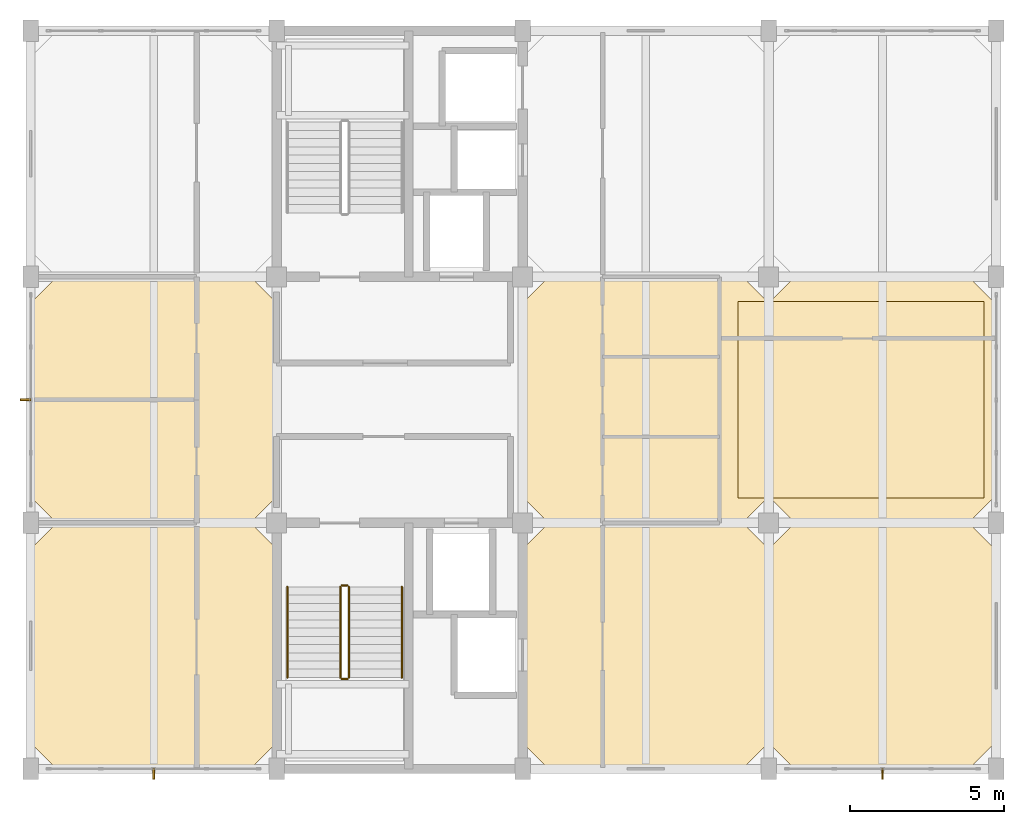
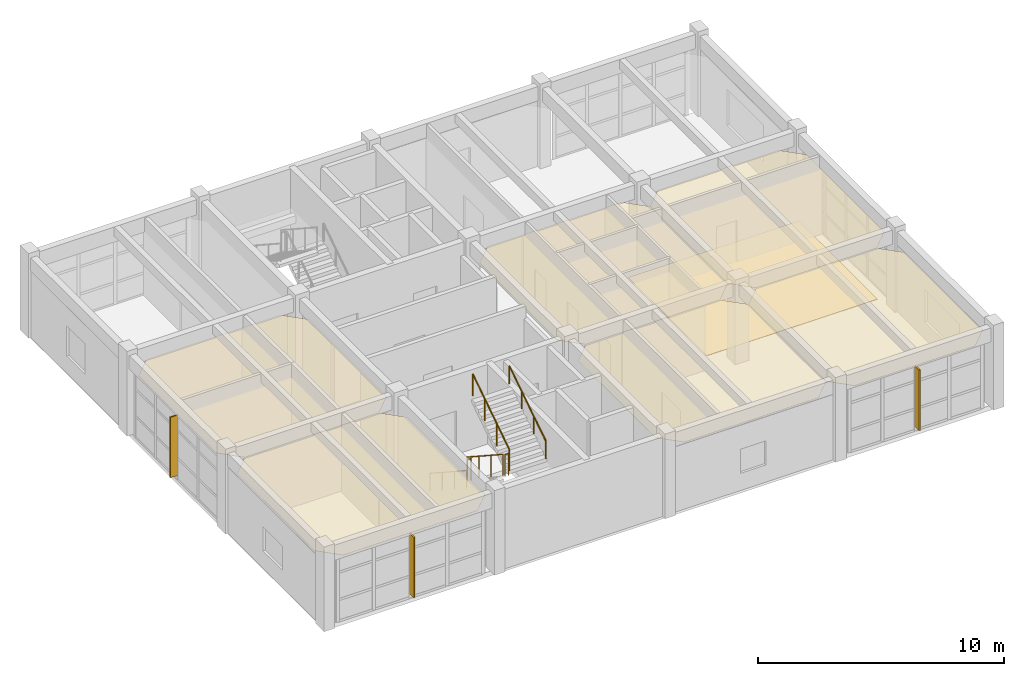
# One storey, part 17 of 18: 7 coverings, 6 railings, 3 shading devices.
"""IFC4 building model written with IfcOpenShell, lengths in metres."""

from ifc_helpers import new_model, si_unit, direction, frame, origin, origin_2d, place, context, subcontext, project, spatial, polyline, rectangle, circle, outline, extrude, material, layer, layer_set, type_object, element, save


model = new_model("IFC4")

# Units and contexts
model_context = context("Model", 3, precision=1e-05, world=origin(), true_north=direction((0.0, 1.0)))
body_context = subcontext(model_context, "Body", "Model", "MODEL_VIEW")
ifc_project = project(units=[si_unit("LENGTHUNIT", "METRE"), si_unit("AREAUNIT", "SQUARE_METRE"), si_unit("VOLUMEUNIT", "CUBIC_METRE"), si_unit("PLANEANGLEUNIT", "RADIAN"), si_unit("MASSUNIT", "GRAM", prefix="KILO")], contexts=[model_context])

# Site, building, storey
site_placement = place(None, origin())
site = spatial("IfcSite", under=ifc_project, at=site_placement, CompositionType="ELEMENT")
building_placement = place(site_placement, origin())
building = spatial("IfcBuilding", under=site, at=building_placement, Name="Canggui Botanical Conservatory", CompositionType="ELEMENT")
storey_placement = place(building_placement, frame((0.0, 0.0, 61.199951171875)))
storey = spatial("IfcBuildingStorey", under=building, at=storey_placement, Name="L15", CompositionType="ELEMENT", Elevation=61.199951171875)

# Coverings
ifc_material_1 = material(Name="Mineral Fibre Acoustic Board")
ifc_layer_1 = layer(ifc_material_1, 0.014892578125, Name="Mineral Fibre Acoustic Board")
ifc_layer_set_1 = layer_set([ifc_layer_1], Name="Mineral Fibre Acoustic Board")
covering_type_1 = type_object("IfcCoveringType", Name="COV-CEIL-15", PredefinedType="CEILING", material=ifc_layer_set_1)
covering_1_placement = place(storey_placement, frame((0.0, 0.0, 3.195068359375)))
element("IfcCovering", 1, at=covering_1_placement, inside=storey, type_object=covering_type_1, Name="Suspended Acoustic Ceiling L15-146-42", PredefinedType="CEILING", context=body_context, shape_type="SweptSolid", body=[
    extrude(outline(polyline([(146.85009765625, 42.0), (153.14990234375, 42.0), (154.0, 42.85009765625), (154.0, 49.14990234375), (153.14990234375, 50.0), (146.85009765625, 50.0), (146.0, 49.14990234375), (146.0, 42.85009765625), (146.85009765625, 42.0)])), origin(), (0.0, 0.0, 1.0), 0.014892578125),
])
covering_2_placement = place(storey_placement, frame((0.0, 0.0, 3.195068359375)))
element("IfcCovering", 2, at=covering_2_placement, inside=storey, type_object=covering_type_1, Name="Suspended Acoustic Ceiling L15-162-42", PredefinedType="CEILING", context=body_context, shape_type="SweptSolid", body=[
    extrude(outline(polyline([(162.85009765625, 42.0), (169.14990234375, 42.0), (170.0, 42.85009765625), (170.0, 49.14990234375), (169.14990234375, 50.0), (162.85009765625, 50.0), (162.0, 49.14990234375), (162.0, 42.85009765625), (162.85009765625, 42.0)])), origin(), (0.0, 0.0, 1.0), 0.014892578125),
])
covering_3_placement = place(storey_placement, frame((0.0, 0.0, 3.195068359375)))
element("IfcCovering", 3, at=covering_3_placement, inside=storey, type_object=covering_type_1, Name="Suspended Acoustic Ceiling L15-170-50", PredefinedType="CEILING", context=body_context, shape_type="SweptSolid", body=[
    extrude(outline(polyline([(170.85009765625, 50.0), (176.5, 50.0), (177.35009765625, 50.85009765625), (177.35009765625, 57.14990234375), (176.5, 58.0), (170.85009765625, 58.0), (170.0, 57.14990234375), (170.0, 50.85009765625), (170.85009765625, 50.0)])), origin(), (0.0, 0.0, 1.0), 0.014892578125),
])
ifc_material_2 = material(Name="Perforated Gypsum Acoustic Panel")
ifc_layer_2 = layer(ifc_material_2, 0.02001953125, Name="Perforated Gypsum Acoustic Panel")
ifc_layer_set_2 = layer_set([ifc_layer_2], Name="Perforated Gypsum Acoustic Panel")
covering_type_2 = type_object("IfcCoveringType", Name="COV-CEIL-20", PredefinedType="CEILING", material=ifc_layer_set_2)
covering_4_placement = place(storey_placement, frame((0.0, 0.0, 3.18994140625)))
element("IfcCovering", 4, at=covering_4_placement, inside=storey, type_object=covering_type_2, Name="Suspended Acoustic Ceiling L15-146-50", PredefinedType="CEILING", context=body_context, shape_type="SweptSolid", body=[
    extrude(outline(polyline([(146.85009765625, 50.0), (153.14990234375, 50.0), (154.0, 50.85009765625), (154.0, 57.14990234375), (153.14990234375, 58.0), (146.85009765625, 58.0), (146.0, 57.14990234375), (146.0, 50.85009765625), (146.85009765625, 50.0)])), origin(), (0.0, 0.0, 1.0), 0.02001953125),
])
covering_5_placement = place(storey_placement, frame((0.0, 0.0, 3.18994140625)))
element("IfcCovering", 5, at=covering_5_placement, inside=storey, type_object=covering_type_2, Name="Suspended Acoustic Ceiling L15-162-50", PredefinedType="CEILING", context=body_context, shape_type="SweptSolid", body=[
    extrude(outline(polyline([(162.85009765625, 50.0), (169.14990234375, 50.0), (170.0, 50.85009765625), (170.0, 57.14990234375), (169.14990234375, 58.0), (162.85009765625, 58.0), (162.0, 57.14990234375), (162.0, 50.85009765625), (162.85009765625, 50.0)])), origin(), (0.0, 0.0, 1.0), 0.02001953125),
])
covering_6_placement = place(storey_placement, frame((0.0, 0.0, 3.18994140625)))
element("IfcCovering", 6, at=covering_6_placement, inside=storey, type_object=covering_type_2, Name="Suspended Acoustic Ceiling L15-170-42", PredefinedType="CEILING", context=body_context, shape_type="SweptSolid", body=[
    extrude(outline(polyline([(170.85009765625, 42.0), (176.5, 42.0), (177.35009765625, 42.85009765625), (177.35009765625, 49.14990234375), (176.5, 50.0), (170.85009765625, 50.0), (170.0, 49.14990234375), (170.0, 42.85009765625), (170.85009765625, 42.0)])), origin(), (0.0, 0.0, 1.0), 0.02001953125),
])
ifc_material_3 = material(Name="Seamless Laboratory Epoxy Resin")
ifc_layer_3 = layer(ifc_material_3, 0.011962890625, Name="Seamless Laboratory Epoxy Resin")
ifc_layer_set_3 = layer_set([ifc_layer_3], Name="Seamless Laboratory Epoxy Resin")
covering_type_3 = type_object("IfcCoveringType", Name="COV-FLR-12", PredefinedType="FLOORING", material=ifc_layer_set_3)
covering_7_placement = place(storey_placement, origin())
element("IfcCovering", 7, at=covering_7_placement, inside=storey, type_object=covering_type_3, Name="Laboratory Finish Flooring L15", PredefinedType="FLOORING", context=body_context, shape_type="SweptSolid", body=[
    extrude(outline(polyline([(169.0, 50.800048828125), (177.0, 50.800048828125), (177.0, 57.199951171875), (169.0, 57.199951171875), (169.0, 50.800048828125)])), origin(), (0.0, 0.0, 1.0), 0.011962890625),
])

# Railings
ifc_material_4 = material(Name="Stainless Steel 304", Category="steel")
railing_type_1 = type_object("IfcRailingType", Name="RAIL-GUARD-1100", PredefinedType="BALUSTRADE", material=ifc_material_4)
railing_1_placement = place(storey_placement, frame((156.070068359375, 47.919921875, 0.175048828125)))
element("IfcRailing", 8, at=railing_1_placement, inside=storey, type_object=railing_type_1, Name="L15 ST-T1 stair guard 1", PredefinedType="BALUSTRADE", context=body_context, shape_type="SweptSolid", body=[
    extrude(circle(Radius=0.02392578125, at=origin_2d()), frame((0.0, 0.0, 1.076171875), z_axis=(0.0, -0.837293178872, 0.54675417933), x_axis=(1.0, 0.0, 0.0)), (0.0, 0.0, 1.0), 3.520751953125),
    extrude(circle(Radius=0.02099609375, at=origin_2d()), origin(), (0.0, 0.0, 1.0), 1.052001953125),
    extrude(circle(Radius=0.02099609375, at=origin_2d()), frame((0.0, -0.982666015625, 0.6416015625)), (0.0, 0.0, 1.0), 1.052001953125),
    extrude(circle(Radius=0.02099609375, at=origin_2d()), frame((0.0, -1.96533203125, 1.283447265625)), (0.0, 0.0, 1.0), 1.052001953125),
    extrude(circle(Radius=0.02099609375, at=origin_2d()), frame((0.0, -2.947998046875, 1.925048828125)), (0.0, 0.0, 1.0), 1.052001953125),
])
railing_2_placement = place(storey_placement, frame((156.1201171875, 44.922119140625, 2.10009765625)))
element("IfcRailing", 9, at=railing_2_placement, inside=storey, type_object=railing_type_1, Name="L15 ST-T1 stair guard 2", PredefinedType="BALUSTRADE", context=body_context, shape_type="SweptSolid", body=[
    extrude(circle(Radius=0.02392578125, at=origin_2d()), frame((0.0, 0.0, 1.076171875), z_axis=(1.0, 0.0, 0.0), x_axis=(0.0, 1.0, 0.0)), (0.0, 0.0, 1.0), 0.179931640625),
    extrude(circle(Radius=0.02099609375, at=origin_2d()), origin(), (0.0, 0.0, 1.0), 1.052001953125),
    extrude(circle(Radius=0.02099609375, at=origin_2d()), frame((0.179931640625, 0.0, 0.0)), (0.0, 0.0, 1.0), 1.052001953125),
])
railing_3_placement = place(storey_placement, frame((156.35009765625, 44.971923828125, 2.275146484375)))
element("IfcRailing", 10, at=railing_3_placement, inside=storey, type_object=railing_type_1, Name="L15 ST-T1 stair guard 3", PredefinedType="BALUSTRADE", context=body_context, shape_type="SweptSolid", body=[
    extrude(circle(Radius=0.02392578125, at=origin_2d()), frame((0.0, 0.0, 1.076171875), z_axis=(0.0, 0.837324922549, 0.546705564338), x_axis=(-1.0, 0.0, 0.0)), (0.0, 0.0, 1.0), 3.520751953125),
    extrude(circle(Radius=0.02099609375, at=origin_2d()), origin(), (0.0, 0.0, 1.0), 1.052001953125),
    extrude(circle(Radius=0.02099609375, at=origin_2d()), frame((0.0, 0.982666015625, 0.6416015625)), (0.0, 0.0, 1.0), 1.052001953125),
    extrude(circle(Radius=0.02099609375, at=origin_2d()), frame((0.0, 1.96533203125, 1.283203125)), (0.0, 0.0, 1.0), 1.052001953125),
    extrude(circle(Radius=0.02099609375, at=origin_2d()), frame((0.0, 2.947998046875, 1.9248046875)), (0.0, 0.0, 1.0), 1.052001953125),
])
railing_4_placement = place(storey_placement, frame((156.1201171875, 47.969970703125, 0.0)))
element("IfcRailing", 11, at=railing_4_placement, inside=storey, type_object=railing_type_1, Name="L15 ST-T1 stair guard 4", PredefinedType="BALUSTRADE", context=body_context, shape_type="SweptSolid", body=[
    extrude(circle(Radius=0.02392578125, at=origin_2d()), frame((0.0, 0.0, 1.076171875), z_axis=(1.0, 0.0, 0.0), x_axis=(0.0, 1.0, 0.0)), (0.0, 0.0, 1.0), 0.179931640625),
    extrude(circle(Radius=0.02099609375, at=origin_2d()), origin(), (0.0, 0.0, 1.0), 1.052001953125),
    extrude(circle(Radius=0.02099609375, at=origin_2d()), frame((0.179931640625, 0.0, 0.0)), (0.0, 0.0, 1.0), 1.052001953125),
])
railing_type_2 = type_object("IfcRailingType", Name="RAIL-HAND-900", PredefinedType="HANDRAIL", material=ifc_material_4)
railing_5_placement = place(storey_placement, frame((154.35009765625, 47.919921875, 0.175048828125)))
element("IfcRailing", 12, at=railing_5_placement, inside=storey, type_object=railing_type_2, Name="L15 ST-T1 stair handrail 1", PredefinedType="HANDRAIL", context=body_context, shape_type="SweptSolid", body=[
    extrude(circle(Radius=0.02392578125, at=origin_2d()), frame((0.0, 0.0, 0.8759765625), z_axis=(0.0, -0.837293178872, 0.54675417933), x_axis=(1.0, 0.0, 0.0)), (0.0, 0.0, 1.0), 3.520751953125),
    extrude(circle(Radius=0.02099609375, at=origin_2d()), origin(), (0.0, 0.0, 1.0), 0.851806640625),
    extrude(circle(Radius=0.02099609375, at=origin_2d()), frame((0.0, -0.982666015625, 0.6416015625)), (0.0, 0.0, 1.0), 0.851806640625),
    extrude(circle(Radius=0.02099609375, at=origin_2d()), frame((0.0, -1.96533203125, 1.283447265625)), (0.0, 0.0, 1.0), 0.851806640625),
    extrude(circle(Radius=0.02099609375, at=origin_2d()), frame((0.0, -2.947998046875, 1.925048828125)), (0.0, 0.0, 1.0), 0.851806640625),
])
railing_6_placement = place(storey_placement, frame((158.070068359375, 44.971923828125, 2.275146484375)))
element("IfcRailing", 13, at=railing_6_placement, inside=storey, type_object=railing_type_2, Name="L15 ST-T1 stair handrail 2", PredefinedType="HANDRAIL", context=body_context, shape_type="SweptSolid", body=[
    extrude(circle(Radius=0.02392578125, at=origin_2d()), frame((0.0, 0.0, 0.8759765625), z_axis=(0.0, 0.837324922549, 0.546705564338), x_axis=(-1.0, 0.0, 0.0)), (0.0, 0.0, 1.0), 3.520751953125),
    extrude(circle(Radius=0.02099609375, at=origin_2d()), origin(), (0.0, 0.0, 1.0), 0.851806640625),
    extrude(circle(Radius=0.02099609375, at=origin_2d()), frame((0.0, 0.982666015625, 0.6416015625)), (0.0, 0.0, 1.0), 0.851806640625),
    extrude(circle(Radius=0.02099609375, at=origin_2d()), frame((0.0, 1.96533203125, 1.283203125)), (0.0, 0.0, 1.0), 0.851806640625),
    extrude(circle(Radius=0.02099609375, at=origin_2d()), frame((0.0, 2.947998046875, 1.9248046875)), (0.0, 0.0, 1.0), 0.851806640625),
])

# Shading devices
ifc_material_5 = material(Name="Anodised Aluminium", Category="aluminium")
shading_device_type = type_object("IfcShadingDeviceType", Name="SHD-FIN02", PredefinedType="AWNING", material=ifc_material_5)
for number, where, z_axis, x_axis, name in (
    (14, (173.699951171875, 41.8349609375, 0.199951171875), (0.0, 0.0, 1.0), (-1.0, 0.0, 0.0), "Solar Shading Fin CW-TWR-L15-01"),
    (15, (150.0, 41.8349609375, 0.199951171875), (0.0, 0.0, 1.0), (-1.0, 0.0, 0.0), "Solar Shading Fin CW-TWR-L15-03"),
    (16, (145.8349609375, 54.0, 0.199951171875), (0.0, 0.0, 1.0), (0.0, 1.0, 0.0), "Solar Shading Fin CW-TWR-L15-05"),
):
    element("IfcShadingDevice", number, at=place(storey_placement, frame(where, z_axis=z_axis, x_axis=x_axis)), inside=storey, type_object=shading_device_type, Name=name, PredefinedType="AWNING", context=body_context, shape_type="SweptSolid", body=[
        extrude(rectangle(XDim=0.06005859375, YDim=0.360107421875, at=origin_2d()), origin(), (0.0, 0.0, 1.0), 3.0),
    ])

save(model, "model.ifc")
